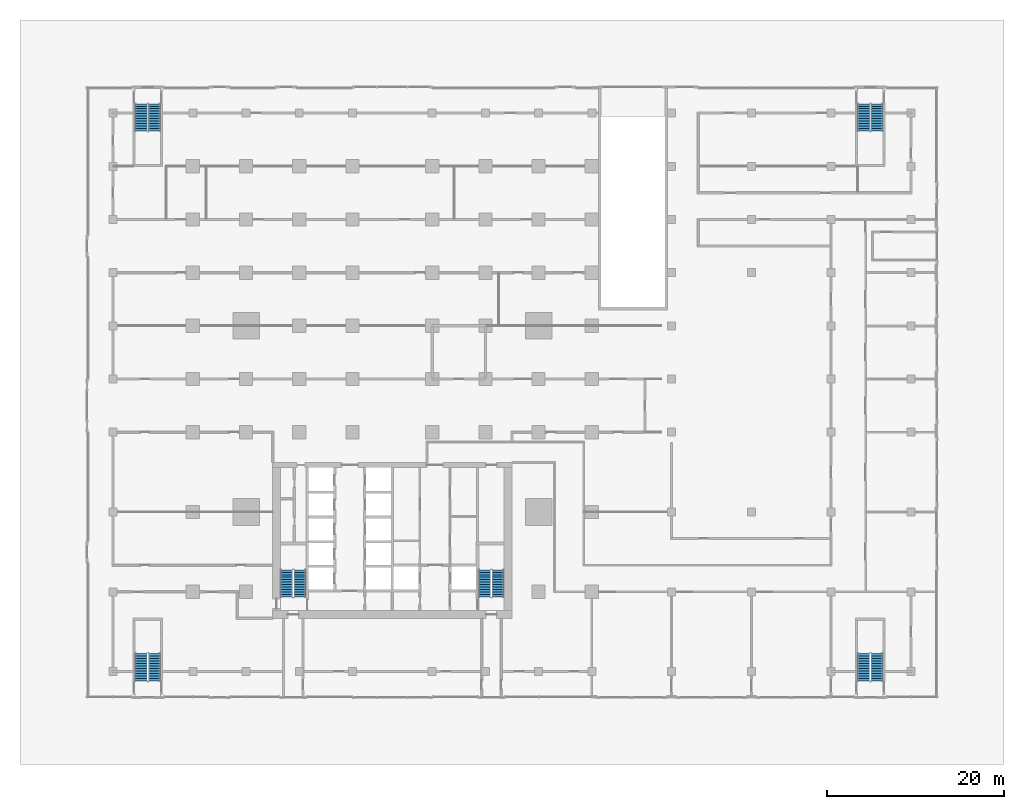
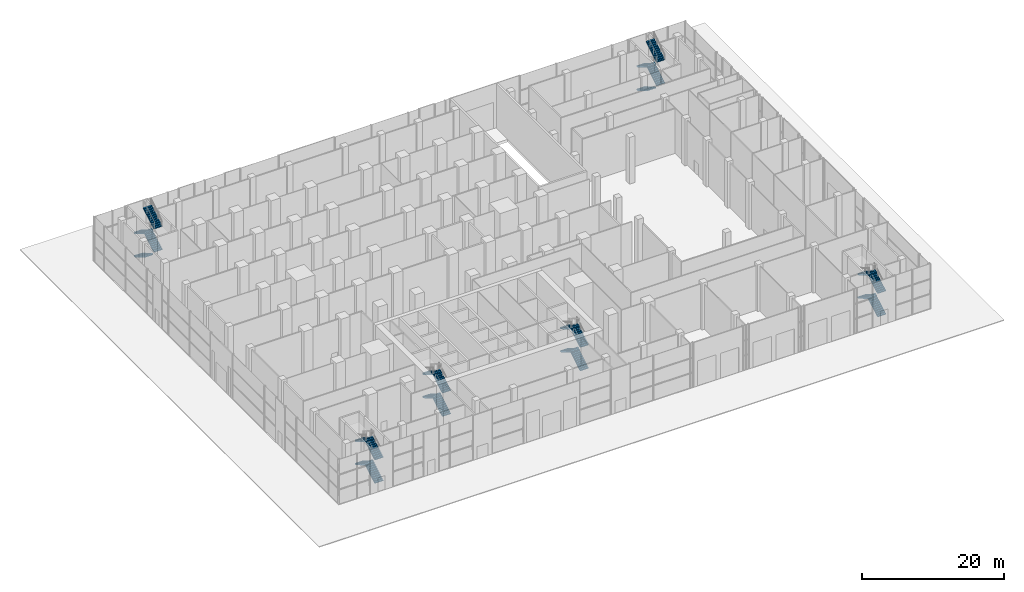
# One storey, part 27 of 29: 24 stair flights, 6 elements without a shape of their own.
"""IFC4 building model written with IfcOpenShell, lengths in metres."""

from ifc_helpers import new_model, si_unit, direction, frame, origin, place, context, subcontext, project, spatial, polyline, outline, extrude, material, type_object, element, aggregate, save


model = new_model("IFC4")

# Units and contexts
model_context = context("Model", 3, precision=1e-05, world=origin(), true_north=direction((0.0, 1.0)))
body_context = subcontext(model_context, "Body", "Model", "MODEL_VIEW")
ifc_project = project(units=[si_unit("LENGTHUNIT", "METRE"), si_unit("AREAUNIT", "SQUARE_METRE"), si_unit("VOLUMEUNIT", "CUBIC_METRE"), si_unit("PLANEANGLEUNIT", "RADIAN"), si_unit("MASSUNIT", "GRAM", prefix="KILO")], contexts=[model_context])

# Site, building, storey
site_placement = place(None, origin())
site = spatial("IfcSite", under=ifc_project, at=site_placement, CompositionType="ELEMENT")
building_placement = place(site_placement, origin())
building = spatial("IfcBuilding", under=site, at=building_placement, Name="Finial Court Residences", CompositionType="ELEMENT")
storey_placement = place(building_placement, origin())
storey = spatial("IfcBuildingStorey", under=building, at=storey_placement, Name="L00", CompositionType="ELEMENT", Elevation=0.0)

# Stair, stair flights
ifc_material = material(Name="Concrete C50/60", Category="concrete")
stair_type = type_object("IfcStairType", Name="Exit stair 48 risers of 166.7 mm", PredefinedType="HALF_TURN_STAIR", material=ifc_material)
stair_1_placement = place(storey_placement, origin())
stair_1 = element("IfcStair", 1, at=stair_1_placement, inside=storey, type_object=stair_type, Name="L00 Exit stair ST-1", PredefinedType="HALF_TURN_STAIR")
stair_flight_type = type_object("IfcStairFlightType", Name="Exit stair flight", PredefinedType="STRAIGHT", material=ifc_material)
stair_flight_1_placement = place(storey_placement, frame((-10.425048828125, -23.10009765625, 0.0), z_axis=(0.0, 0.0, 1.0), x_axis=(0.0, 1.0, 0.0)))
stair_flight_1 = element("IfcStairFlight", 2, at=stair_flight_1_placement, type_object=stair_flight_type, Name="ST-1 flight 1", NumberOfRisers=12, NumberOfTreads=11, PredefinedType="STRAIGHT", RiserHeight=0.166666667, TreadLength=0.28, context=body_context, shape_type="SweptSolid", body=[
    extrude(outline(polyline([(0.0, 0.0), (0.0, 0.166748046875), (0.280029296875, 0.166748046875), (0.280029296875, 0.333251953125), (0.56005859375, 0.333251953125), (0.56005859375, 0.5), (0.840087890625, 0.5), (0.840087890625, 0.666748046875), (1.1201171875, 0.666748046875), (1.1201171875, 0.833251953125), (1.39990234375, 0.833251953125), (1.39990234375, 1.0), (1.679931640625, 1.0), (1.679931640625, 1.166748046875), (1.9599609375, 1.166748046875), (1.9599609375, 1.333251953125), (2.239990234375, 1.333251953125), (2.239990234375, 1.5), (2.52001953125, 1.5), (2.52001953125, 1.666748046875), (2.800048828125, 1.666748046875), (2.800048828125, 1.833251953125), (3.080078125, 1.833251953125), (3.080078125, 2.0), (3.080078125, 1.658935546875), (0.29296875, 0.0), (0.0, 0.0)])), frame((0.0, 0.675048828125, 0.0), z_axis=(0.0, -1.0, 0.0), x_axis=(1.0, 0.0, 0.0)), (0.0, 0.0, 1.0), 1.35009765625),
])
stair_flight_2_placement = place(storey_placement, frame((-11.925048828125, -20.02001953125, 2.0), z_axis=(0.0, 0.0, 1.0), x_axis=(0.0, -1.0, 0.0)))
stair_flight_2 = element("IfcStairFlight", 3, at=stair_flight_2_placement, type_object=stair_flight_type, Name="ST-1 flight 2", NumberOfRisers=12, NumberOfTreads=11, PredefinedType="STRAIGHT", RiserHeight=0.166666667, TreadLength=0.28, context=body_context, shape_type="SweptSolid", body=[
    extrude(outline(polyline([(0.0, 0.0), (0.0, 0.166748046875), (0.280029296875, 0.166748046875), (0.280029296875, 0.333251953125), (0.56005859375, 0.333251953125), (0.56005859375, 0.5), (0.840087890625, 0.5), (0.840087890625, 0.666748046875), (1.1201171875, 0.666748046875), (1.1201171875, 0.833251953125), (1.39990234375, 0.833251953125), (1.39990234375, 1.0), (1.679931640625, 1.0), (1.679931640625, 1.166748046875), (1.9599609375, 1.166748046875), (1.9599609375, 1.333251953125), (2.239990234375, 1.333251953125), (2.239990234375, 1.5), (2.52001953125, 1.5), (2.52001953125, 1.666748046875), (2.800048828125, 1.666748046875), (2.800048828125, 1.833251953125), (3.080078125, 1.833251953125), (3.080078125, 2.0), (3.080078125, 1.658935546875), (0.29296875, 0.0), (0.0, 0.0)])), frame((0.0, 0.675048828125, 0.0), z_axis=(0.0, -1.0, 0.0), x_axis=(1.0, 0.0, 0.0)), (0.0, 0.0, 1.0), 1.35009765625),
])
stair_flight_3_placement = place(storey_placement, frame((-10.425048828125, -23.10009765625, 4.0), z_axis=(0.0, 0.0, 1.0), x_axis=(0.0, 1.0, 0.0)))
stair_flight_3 = element("IfcStairFlight", 4, at=stair_flight_3_placement, type_object=stair_flight_type, Name="ST-1 flight 3", NumberOfRisers=12, NumberOfTreads=11, PredefinedType="STRAIGHT", RiserHeight=0.166666667, TreadLength=0.28, context=body_context, shape_type="SweptSolid", body=[
    extrude(outline(polyline([(0.0, 0.0), (0.0, 0.166748046875), (0.280029296875, 0.166748046875), (0.280029296875, 0.333251953125), (0.56005859375, 0.333251953125), (0.56005859375, 0.5), (0.840087890625, 0.5), (0.840087890625, 0.666748046875), (1.1201171875, 0.666748046875), (1.1201171875, 0.833251953125), (1.39990234375, 0.833251953125), (1.39990234375, 1.0), (1.679931640625, 1.0), (1.679931640625, 1.166748046875), (1.9599609375, 1.166748046875), (1.9599609375, 1.333251953125), (2.239990234375, 1.333251953125), (2.239990234375, 1.5), (2.52001953125, 1.5), (2.52001953125, 1.666748046875), (2.800048828125, 1.666748046875), (2.800048828125, 1.833251953125), (3.080078125, 1.833251953125), (3.080078125, 2.0), (3.080078125, 1.658935546875), (0.29296875, 0.0), (0.0, 0.0)])), frame((0.0, 0.675048828125, 0.0), z_axis=(0.0, -1.0, 0.0), x_axis=(1.0, 0.0, 0.0)), (0.0, 0.0, 1.0), 1.35009765625),
])
stair_flight_4_placement = place(storey_placement, frame((-11.925048828125, -20.02001953125, 6.0), z_axis=(0.0, 0.0, 1.0), x_axis=(0.0, -1.0, 0.0)))
stair_flight_4 = element("IfcStairFlight", 5, at=stair_flight_4_placement, type_object=stair_flight_type, Name="ST-1 flight 4", NumberOfRisers=12, NumberOfTreads=11, PredefinedType="STRAIGHT", RiserHeight=0.166666667, TreadLength=0.28, context=body_context, shape_type="SweptSolid", body=[
    extrude(outline(polyline([(0.0, 0.0), (0.0, 0.166748046875), (0.280029296875, 0.166748046875), (0.280029296875, 0.333251953125), (0.56005859375, 0.333251953125), (0.56005859375, 0.5), (0.840087890625, 0.5), (0.840087890625, 0.666748046875), (1.1201171875, 0.666748046875), (1.1201171875, 0.833251953125), (1.39990234375, 0.833251953125), (1.39990234375, 1.0), (1.679931640625, 1.0), (1.679931640625, 1.166748046875), (1.9599609375, 1.166748046875), (1.9599609375, 1.333251953125), (2.239990234375, 1.333251953125), (2.239990234375, 1.5), (2.52001953125, 1.5), (2.52001953125, 1.666748046875), (2.800048828125, 1.666748046875), (2.800048828125, 1.833251953125), (3.080078125, 1.833251953125), (3.080078125, 2.0), (3.080078125, 1.658935546875), (0.29296875, 0.0), (0.0, 0.0)])), frame((0.0, 0.675048828125, 0.0), z_axis=(0.0, -1.0, 0.0), x_axis=(1.0, 0.0, 0.0)), (0.0, 0.0, 1.0), 1.35009765625),
])
aggregate(stair_1, [stair_flight_1, stair_flight_2, stair_flight_3, stair_flight_4])

stair_2_placement = place(storey_placement, origin())
stair_2 = element("IfcStair", 6, at=stair_2_placement, inside=storey, type_object=stair_type, Name="L00 Exit stair ST-2", PredefinedType="HALF_TURN_STAIR")
stair_flight_5_placement = place(storey_placement, frame((11.925048828125, -23.10009765625, 0.0), z_axis=(0.0, 0.0, 1.0), x_axis=(0.0, 1.0, 0.0)))
stair_flight_5 = element("IfcStairFlight", 7, at=stair_flight_5_placement, type_object=stair_flight_type, Name="ST-2 flight 1", NumberOfRisers=12, NumberOfTreads=11, PredefinedType="STRAIGHT", RiserHeight=0.166666667, TreadLength=0.28, context=body_context, shape_type="SweptSolid", body=[
    extrude(outline(polyline([(0.0, 0.0), (0.0, 0.166748046875), (0.280029296875, 0.166748046875), (0.280029296875, 0.333251953125), (0.56005859375, 0.333251953125), (0.56005859375, 0.5), (0.840087890625, 0.5), (0.840087890625, 0.666748046875), (1.1201171875, 0.666748046875), (1.1201171875, 0.833251953125), (1.39990234375, 0.833251953125), (1.39990234375, 1.0), (1.679931640625, 1.0), (1.679931640625, 1.166748046875), (1.9599609375, 1.166748046875), (1.9599609375, 1.333251953125), (2.239990234375, 1.333251953125), (2.239990234375, 1.5), (2.52001953125, 1.5), (2.52001953125, 1.666748046875), (2.800048828125, 1.666748046875), (2.800048828125, 1.833251953125), (3.080078125, 1.833251953125), (3.080078125, 2.0), (3.080078125, 1.658935546875), (0.29296875, 0.0), (0.0, 0.0)])), frame((0.0, 0.675048828125, 0.0), z_axis=(0.0, -1.0, 0.0), x_axis=(1.0, 0.0, 0.0)), (0.0, 0.0, 1.0), 1.35009765625),
])
stair_flight_6_placement = place(storey_placement, frame((10.425048828125, -20.02001953125, 2.0), z_axis=(0.0, 0.0, 1.0), x_axis=(0.0, -1.0, 0.0)))
stair_flight_6 = element("IfcStairFlight", 8, at=stair_flight_6_placement, type_object=stair_flight_type, Name="ST-2 flight 2", NumberOfRisers=12, NumberOfTreads=11, PredefinedType="STRAIGHT", RiserHeight=0.166666667, TreadLength=0.28, context=body_context, shape_type="SweptSolid", body=[
    extrude(outline(polyline([(0.0, 0.0), (0.0, 0.166748046875), (0.280029296875, 0.166748046875), (0.280029296875, 0.333251953125), (0.56005859375, 0.333251953125), (0.56005859375, 0.5), (0.840087890625, 0.5), (0.840087890625, 0.666748046875), (1.1201171875, 0.666748046875), (1.1201171875, 0.833251953125), (1.39990234375, 0.833251953125), (1.39990234375, 1.0), (1.679931640625, 1.0), (1.679931640625, 1.166748046875), (1.9599609375, 1.166748046875), (1.9599609375, 1.333251953125), (2.239990234375, 1.333251953125), (2.239990234375, 1.5), (2.52001953125, 1.5), (2.52001953125, 1.666748046875), (2.800048828125, 1.666748046875), (2.800048828125, 1.833251953125), (3.080078125, 1.833251953125), (3.080078125, 2.0), (3.080078125, 1.658935546875), (0.29296875, 0.0), (0.0, 0.0)])), frame((0.0, 0.675048828125, 0.0), z_axis=(0.0, -1.0, 0.0), x_axis=(1.0, 0.0, 0.0)), (0.0, 0.0, 1.0), 1.35009765625),
])
stair_flight_7_placement = place(storey_placement, frame((11.925048828125, -23.10009765625, 4.0), z_axis=(0.0, 0.0, 1.0), x_axis=(0.0, 1.0, 0.0)))
stair_flight_7 = element("IfcStairFlight", 9, at=stair_flight_7_placement, type_object=stair_flight_type, Name="ST-2 flight 3", NumberOfRisers=12, NumberOfTreads=11, PredefinedType="STRAIGHT", RiserHeight=0.166666667, TreadLength=0.28, context=body_context, shape_type="SweptSolid", body=[
    extrude(outline(polyline([(0.0, 0.0), (0.0, 0.166748046875), (0.280029296875, 0.166748046875), (0.280029296875, 0.333251953125), (0.56005859375, 0.333251953125), (0.56005859375, 0.5), (0.840087890625, 0.5), (0.840087890625, 0.666748046875), (1.1201171875, 0.666748046875), (1.1201171875, 0.833251953125), (1.39990234375, 0.833251953125), (1.39990234375, 1.0), (1.679931640625, 1.0), (1.679931640625, 1.166748046875), (1.9599609375, 1.166748046875), (1.9599609375, 1.333251953125), (2.239990234375, 1.333251953125), (2.239990234375, 1.5), (2.52001953125, 1.5), (2.52001953125, 1.666748046875), (2.800048828125, 1.666748046875), (2.800048828125, 1.833251953125), (3.080078125, 1.833251953125), (3.080078125, 2.0), (3.080078125, 1.658935546875), (0.29296875, 0.0), (0.0, 0.0)])), frame((0.0, 0.675048828125, 0.0), z_axis=(0.0, -1.0, 0.0), x_axis=(1.0, 0.0, 0.0)), (0.0, 0.0, 1.0), 1.35009765625),
])
stair_flight_8_placement = place(storey_placement, frame((10.425048828125, -20.02001953125, 6.0), z_axis=(0.0, 0.0, 1.0), x_axis=(0.0, -1.0, 0.0)))
stair_flight_8 = element("IfcStairFlight", 10, at=stair_flight_8_placement, type_object=stair_flight_type, Name="ST-2 flight 4", NumberOfRisers=12, NumberOfTreads=11, PredefinedType="STRAIGHT", RiserHeight=0.166666667, TreadLength=0.28, context=body_context, shape_type="SweptSolid", body=[
    extrude(outline(polyline([(0.0, 0.0), (0.0, 0.166748046875), (0.280029296875, 0.166748046875), (0.280029296875, 0.333251953125), (0.56005859375, 0.333251953125), (0.56005859375, 0.5), (0.840087890625, 0.5), (0.840087890625, 0.666748046875), (1.1201171875, 0.666748046875), (1.1201171875, 0.833251953125), (1.39990234375, 0.833251953125), (1.39990234375, 1.0), (1.679931640625, 1.0), (1.679931640625, 1.166748046875), (1.9599609375, 1.166748046875), (1.9599609375, 1.333251953125), (2.239990234375, 1.333251953125), (2.239990234375, 1.5), (2.52001953125, 1.5), (2.52001953125, 1.666748046875), (2.800048828125, 1.666748046875), (2.800048828125, 1.833251953125), (3.080078125, 1.833251953125), (3.080078125, 2.0), (3.080078125, 1.658935546875), (0.29296875, 0.0), (0.0, 0.0)])), frame((0.0, 0.675048828125, 0.0), z_axis=(0.0, -1.0, 0.0), x_axis=(1.0, 0.0, 0.0)), (0.0, 0.0, 1.0), 1.35009765625),
])
aggregate(stair_2, [stair_flight_5, stair_flight_6, stair_flight_7, stair_flight_8])

stair_3_placement = place(storey_placement, origin())
stair_3 = element("IfcStair", 11, at=stair_3_placement, inside=storey, type_object=stair_type, Name="L00 Exit Stair 3", PredefinedType="HALF_TURN_STAIR")
stair_flight_9_placement = place(storey_placement, frame((54.675048828125, -32.550048828125, 0.0), z_axis=(0.0, 0.0, 1.0), x_axis=(0.0, 1.0, 0.0)))
stair_flight_9 = element("IfcStairFlight", 12, at=stair_flight_9_placement, type_object=stair_flight_type, Name="ST-3 flight 1", NumberOfRisers=12, NumberOfTreads=11, PredefinedType="STRAIGHT", RiserHeight=0.166666667, TreadLength=0.28, context=body_context, shape_type="SweptSolid", body=[
    extrude(outline(polyline([(0.0, 0.0), (0.0, 0.166748046875), (0.280029296875, 0.166748046875), (0.280029296875, 0.333251953125), (0.56005859375, 0.333251953125), (0.56005859375, 0.5), (0.840087890625, 0.5), (0.840087890625, 0.666748046875), (1.1201171875, 0.666748046875), (1.1201171875, 0.833251953125), (1.39990234375, 0.833251953125), (1.39990234375, 1.0), (1.679931640625, 1.0), (1.679931640625, 1.166748046875), (1.9599609375, 1.166748046875), (1.9599609375, 1.333251953125), (2.239990234375, 1.333251953125), (2.239990234375, 1.5), (2.52001953125, 1.5), (2.52001953125, 1.666748046875), (2.800048828125, 1.666748046875), (2.800048828125, 1.833251953125), (3.080078125, 1.833251953125), (3.080078125, 2.0), (3.080078125, 1.658935546875), (0.29296875, 0.0), (0.0, 0.0)])), frame((0.0, 0.675048828125, 0.0), z_axis=(0.0, -1.0, 0.0), x_axis=(1.0, 0.0, 0.0)), (0.0, 0.0, 1.0), 1.35009765625),
])
stair_flight_10_placement = place(storey_placement, frame((53.175048828125, -29.469970703125, 2.0), z_axis=(0.0, 0.0, 1.0), x_axis=(0.0, -1.0, 0.0)))
stair_flight_10 = element("IfcStairFlight", 13, at=stair_flight_10_placement, type_object=stair_flight_type, Name="ST-3 flight 2", NumberOfRisers=12, NumberOfTreads=11, PredefinedType="STRAIGHT", RiserHeight=0.166666667, TreadLength=0.28, context=body_context, shape_type="SweptSolid", body=[
    extrude(outline(polyline([(0.0, 0.0), (0.0, 0.166748046875), (0.280029296875, 0.166748046875), (0.280029296875, 0.333251953125), (0.56005859375, 0.333251953125), (0.56005859375, 0.5), (0.840087890625, 0.5), (0.840087890625, 0.666748046875), (1.1201171875, 0.666748046875), (1.1201171875, 0.833251953125), (1.39990234375, 0.833251953125), (1.39990234375, 1.0), (1.679931640625, 1.0), (1.679931640625, 1.166748046875), (1.9599609375, 1.166748046875), (1.9599609375, 1.333251953125), (2.239990234375, 1.333251953125), (2.239990234375, 1.5), (2.52001953125, 1.5), (2.52001953125, 1.666748046875), (2.800048828125, 1.666748046875), (2.800048828125, 1.833251953125), (3.080078125, 1.833251953125), (3.080078125, 2.0), (3.080078125, 1.658935546875), (0.29296875, 0.0), (0.0, 0.0)])), frame((0.0, 0.675048828125, 0.0), z_axis=(0.0, -1.0, 0.0), x_axis=(1.0, 0.0, 0.0)), (0.0, 0.0, 1.0), 1.35009765625),
])
stair_flight_11_placement = place(storey_placement, frame((54.675048828125, -32.550048828125, 4.0), z_axis=(0.0, 0.0, 1.0), x_axis=(0.0, 1.0, 0.0)))
stair_flight_11 = element("IfcStairFlight", 14, at=stair_flight_11_placement, type_object=stair_flight_type, Name="ST-3 flight 3", NumberOfRisers=12, NumberOfTreads=11, PredefinedType="STRAIGHT", RiserHeight=0.166666667, TreadLength=0.28, context=body_context, shape_type="SweptSolid", body=[
    extrude(outline(polyline([(0.0, 0.0), (0.0, 0.166748046875), (0.280029296875, 0.166748046875), (0.280029296875, 0.333251953125), (0.56005859375, 0.333251953125), (0.56005859375, 0.5), (0.840087890625, 0.5), (0.840087890625, 0.666748046875), (1.1201171875, 0.666748046875), (1.1201171875, 0.833251953125), (1.39990234375, 0.833251953125), (1.39990234375, 1.0), (1.679931640625, 1.0), (1.679931640625, 1.166748046875), (1.9599609375, 1.166748046875), (1.9599609375, 1.333251953125), (2.239990234375, 1.333251953125), (2.239990234375, 1.5), (2.52001953125, 1.5), (2.52001953125, 1.666748046875), (2.800048828125, 1.666748046875), (2.800048828125, 1.833251953125), (3.080078125, 1.833251953125), (3.080078125, 2.0), (3.080078125, 1.658935546875), (0.29296875, 0.0), (0.0, 0.0)])), frame((0.0, 0.675048828125, 0.0), z_axis=(0.0, -1.0, 0.0), x_axis=(1.0, 0.0, 0.0)), (0.0, 0.0, 1.0), 1.35009765625),
])
stair_flight_12_placement = place(storey_placement, frame((53.175048828125, -29.469970703125, 6.0), z_axis=(0.0, 0.0, 1.0), x_axis=(0.0, -1.0, 0.0)))
stair_flight_12 = element("IfcStairFlight", 15, at=stair_flight_12_placement, type_object=stair_flight_type, Name="ST-3 flight 4", NumberOfRisers=12, NumberOfTreads=11, PredefinedType="STRAIGHT", RiserHeight=0.166666667, TreadLength=0.28, context=body_context, shape_type="SweptSolid", body=[
    extrude(outline(polyline([(0.0, 0.0), (0.0, 0.166748046875), (0.280029296875, 0.166748046875), (0.280029296875, 0.333251953125), (0.56005859375, 0.333251953125), (0.56005859375, 0.5), (0.840087890625, 0.5), (0.840087890625, 0.666748046875), (1.1201171875, 0.666748046875), (1.1201171875, 0.833251953125), (1.39990234375, 0.833251953125), (1.39990234375, 1.0), (1.679931640625, 1.0), (1.679931640625, 1.166748046875), (1.9599609375, 1.166748046875), (1.9599609375, 1.333251953125), (2.239990234375, 1.333251953125), (2.239990234375, 1.5), (2.52001953125, 1.5), (2.52001953125, 1.666748046875), (2.800048828125, 1.666748046875), (2.800048828125, 1.833251953125), (3.080078125, 1.833251953125), (3.080078125, 2.0), (3.080078125, 1.658935546875), (0.29296875, 0.0), (0.0, 0.0)])), frame((0.0, 0.675048828125, 0.0), z_axis=(0.0, -1.0, 0.0), x_axis=(1.0, 0.0, 0.0)), (0.0, 0.0, 1.0), 1.35009765625),
])
aggregate(stair_3, [stair_flight_9, stair_flight_10, stair_flight_11, stair_flight_12])

stair_4_placement = place(storey_placement, origin())
stair_4 = element("IfcStair", 16, at=stair_4_placement, inside=storey, type_object=stair_type, Name="L00 Exit Stair 4", PredefinedType="HALF_TURN_STAIR")
stair_flight_13_placement = place(storey_placement, frame((-26.824951171875, -32.550048828125, 0.0), z_axis=(0.0, 0.0, 1.0), x_axis=(0.0, 1.0, 0.0)))
stair_flight_13 = element("IfcStairFlight", 17, at=stair_flight_13_placement, type_object=stair_flight_type, Name="ST-4 flight 1", NumberOfRisers=12, NumberOfTreads=11, PredefinedType="STRAIGHT", RiserHeight=0.166666667, TreadLength=0.28, context=body_context, shape_type="SweptSolid", body=[
    extrude(outline(polyline([(0.0, 0.0), (0.0, 0.166748046875), (0.280029296875, 0.166748046875), (0.280029296875, 0.333251953125), (0.56005859375, 0.333251953125), (0.56005859375, 0.5), (0.840087890625, 0.5), (0.840087890625, 0.666748046875), (1.1201171875, 0.666748046875), (1.1201171875, 0.833251953125), (1.39990234375, 0.833251953125), (1.39990234375, 1.0), (1.679931640625, 1.0), (1.679931640625, 1.166748046875), (1.9599609375, 1.166748046875), (1.9599609375, 1.333251953125), (2.239990234375, 1.333251953125), (2.239990234375, 1.5), (2.52001953125, 1.5), (2.52001953125, 1.666748046875), (2.800048828125, 1.666748046875), (2.800048828125, 1.833251953125), (3.080078125, 1.833251953125), (3.080078125, 2.0), (3.080078125, 1.658935546875), (0.29296875, 0.0), (0.0, 0.0)])), frame((0.0, 0.675048828125, 0.0), z_axis=(0.0, -1.0, 0.0), x_axis=(1.0, 0.0, 0.0)), (0.0, 0.0, 1.0), 1.35009765625),
])
stair_flight_14_placement = place(storey_placement, frame((-28.324951171875, -29.469970703125, 2.0), z_axis=(0.0, 0.0, 1.0), x_axis=(0.0, -1.0, 0.0)))
stair_flight_14 = element("IfcStairFlight", 18, at=stair_flight_14_placement, type_object=stair_flight_type, Name="ST-4 flight 2", NumberOfRisers=12, NumberOfTreads=11, PredefinedType="STRAIGHT", RiserHeight=0.166666667, TreadLength=0.28, context=body_context, shape_type="SweptSolid", body=[
    extrude(outline(polyline([(0.0, 0.0), (0.0, 0.166748046875), (0.280029296875, 0.166748046875), (0.280029296875, 0.333251953125), (0.56005859375, 0.333251953125), (0.56005859375, 0.5), (0.840087890625, 0.5), (0.840087890625, 0.666748046875), (1.1201171875, 0.666748046875), (1.1201171875, 0.833251953125), (1.39990234375, 0.833251953125), (1.39990234375, 1.0), (1.679931640625, 1.0), (1.679931640625, 1.166748046875), (1.9599609375, 1.166748046875), (1.9599609375, 1.333251953125), (2.239990234375, 1.333251953125), (2.239990234375, 1.5), (2.52001953125, 1.5), (2.52001953125, 1.666748046875), (2.800048828125, 1.666748046875), (2.800048828125, 1.833251953125), (3.080078125, 1.833251953125), (3.080078125, 2.0), (3.080078125, 1.658935546875), (0.29296875, 0.0), (0.0, 0.0)])), frame((0.0, 0.675048828125, 0.0), z_axis=(0.0, -1.0, 0.0), x_axis=(1.0, 0.0, 0.0)), (0.0, 0.0, 1.0), 1.35009765625),
])
stair_flight_15_placement = place(storey_placement, frame((-26.824951171875, -32.550048828125, 4.0), z_axis=(0.0, 0.0, 1.0), x_axis=(0.0, 1.0, 0.0)))
stair_flight_15 = element("IfcStairFlight", 19, at=stair_flight_15_placement, type_object=stair_flight_type, Name="ST-4 flight 3", NumberOfRisers=12, NumberOfTreads=11, PredefinedType="STRAIGHT", RiserHeight=0.166666667, TreadLength=0.28, context=body_context, shape_type="SweptSolid", body=[
    extrude(outline(polyline([(0.0, 0.0), (0.0, 0.166748046875), (0.280029296875, 0.166748046875), (0.280029296875, 0.333251953125), (0.56005859375, 0.333251953125), (0.56005859375, 0.5), (0.840087890625, 0.5), (0.840087890625, 0.666748046875), (1.1201171875, 0.666748046875), (1.1201171875, 0.833251953125), (1.39990234375, 0.833251953125), (1.39990234375, 1.0), (1.679931640625, 1.0), (1.679931640625, 1.166748046875), (1.9599609375, 1.166748046875), (1.9599609375, 1.333251953125), (2.239990234375, 1.333251953125), (2.239990234375, 1.5), (2.52001953125, 1.5), (2.52001953125, 1.666748046875), (2.800048828125, 1.666748046875), (2.800048828125, 1.833251953125), (3.080078125, 1.833251953125), (3.080078125, 2.0), (3.080078125, 1.658935546875), (0.29296875, 0.0), (0.0, 0.0)])), frame((0.0, 0.675048828125, 0.0), z_axis=(0.0, -1.0, 0.0), x_axis=(1.0, 0.0, 0.0)), (0.0, 0.0, 1.0), 1.35009765625),
])
stair_flight_16_placement = place(storey_placement, frame((-28.324951171875, -29.469970703125, 6.0), z_axis=(0.0, 0.0, 1.0), x_axis=(0.0, -1.0, 0.0)))
stair_flight_16 = element("IfcStairFlight", 20, at=stair_flight_16_placement, type_object=stair_flight_type, Name="ST-4 flight 4", NumberOfRisers=12, NumberOfTreads=11, PredefinedType="STRAIGHT", RiserHeight=0.166666667, TreadLength=0.28, context=body_context, shape_type="SweptSolid", body=[
    extrude(outline(polyline([(0.0, 0.0), (0.0, 0.166748046875), (0.280029296875, 0.166748046875), (0.280029296875, 0.333251953125), (0.56005859375, 0.333251953125), (0.56005859375, 0.5), (0.840087890625, 0.5), (0.840087890625, 0.666748046875), (1.1201171875, 0.666748046875), (1.1201171875, 0.833251953125), (1.39990234375, 0.833251953125), (1.39990234375, 1.0), (1.679931640625, 1.0), (1.679931640625, 1.166748046875), (1.9599609375, 1.166748046875), (1.9599609375, 1.333251953125), (2.239990234375, 1.333251953125), (2.239990234375, 1.5), (2.52001953125, 1.5), (2.52001953125, 1.666748046875), (2.800048828125, 1.666748046875), (2.800048828125, 1.833251953125), (3.080078125, 1.833251953125), (3.080078125, 2.0), (3.080078125, 1.658935546875), (0.29296875, 0.0), (0.0, 0.0)])), frame((0.0, 0.675048828125, 0.0), z_axis=(0.0, -1.0, 0.0), x_axis=(1.0, 0.0, 0.0)), (0.0, 0.0, 1.0), 1.35009765625),
])
aggregate(stair_4, [stair_flight_13, stair_flight_14, stair_flight_15, stair_flight_16])

stair_5_placement = place(storey_placement, origin())
stair_5 = element("IfcStair", 21, at=stair_5_placement, inside=storey, type_object=stair_type, Name="L00 Exit Stair 5", PredefinedType="HALF_TURN_STAIR")
stair_flight_17_placement = place(storey_placement, frame((53.175048828125, 32.550048828125, 0.0), z_axis=(0.0, 0.0, 1.0), x_axis=(0.0, -1.0, 0.0)))
stair_flight_17 = element("IfcStairFlight", 22, at=stair_flight_17_placement, type_object=stair_flight_type, Name="ST-5 flight 1", NumberOfRisers=12, NumberOfTreads=11, PredefinedType="STRAIGHT", RiserHeight=0.166666667, TreadLength=0.28, context=body_context, shape_type="SweptSolid", body=[
    extrude(outline(polyline([(0.0, 0.0), (0.0, 0.166748046875), (0.280029296875, 0.166748046875), (0.280029296875, 0.333251953125), (0.56005859375, 0.333251953125), (0.56005859375, 0.5), (0.840087890625, 0.5), (0.840087890625, 0.666748046875), (1.1201171875, 0.666748046875), (1.1201171875, 0.833251953125), (1.39990234375, 0.833251953125), (1.39990234375, 1.0), (1.679931640625, 1.0), (1.679931640625, 1.166748046875), (1.9599609375, 1.166748046875), (1.9599609375, 1.333251953125), (2.239990234375, 1.333251953125), (2.239990234375, 1.5), (2.52001953125, 1.5), (2.52001953125, 1.666748046875), (2.800048828125, 1.666748046875), (2.800048828125, 1.833251953125), (3.080078125, 1.833251953125), (3.080078125, 2.0), (3.080078125, 1.658935546875), (0.29296875, 0.0), (0.0, 0.0)])), frame((0.0, 0.675048828125, 0.0), z_axis=(0.0, -1.0, 0.0), x_axis=(1.0, 0.0, 0.0)), (0.0, 0.0, 1.0), 1.35009765625),
])
stair_flight_18_placement = place(storey_placement, frame((54.675048828125, 29.469970703125, 2.0), z_axis=(0.0, 0.0, 1.0), x_axis=(0.0, 1.0, 0.0)))
stair_flight_18 = element("IfcStairFlight", 23, at=stair_flight_18_placement, type_object=stair_flight_type, Name="ST-5 flight 2", NumberOfRisers=12, NumberOfTreads=11, PredefinedType="STRAIGHT", RiserHeight=0.166666667, TreadLength=0.28, context=body_context, shape_type="SweptSolid", body=[
    extrude(outline(polyline([(0.0, 0.0), (0.0, 0.166748046875), (0.280029296875, 0.166748046875), (0.280029296875, 0.333251953125), (0.56005859375, 0.333251953125), (0.56005859375, 0.5), (0.840087890625, 0.5), (0.840087890625, 0.666748046875), (1.1201171875, 0.666748046875), (1.1201171875, 0.833251953125), (1.39990234375, 0.833251953125), (1.39990234375, 1.0), (1.679931640625, 1.0), (1.679931640625, 1.166748046875), (1.9599609375, 1.166748046875), (1.9599609375, 1.333251953125), (2.239990234375, 1.333251953125), (2.239990234375, 1.5), (2.52001953125, 1.5), (2.52001953125, 1.666748046875), (2.800048828125, 1.666748046875), (2.800048828125, 1.833251953125), (3.080078125, 1.833251953125), (3.080078125, 2.0), (3.080078125, 1.658935546875), (0.29296875, 0.0), (0.0, 0.0)])), frame((0.0, 0.675048828125, 0.0), z_axis=(0.0, -1.0, 0.0), x_axis=(1.0, 0.0, 0.0)), (0.0, 0.0, 1.0), 1.35009765625),
])
stair_flight_19_placement = place(storey_placement, frame((53.175048828125, 32.550048828125, 4.0), z_axis=(0.0, 0.0, 1.0), x_axis=(0.0, -1.0, 0.0)))
stair_flight_19 = element("IfcStairFlight", 24, at=stair_flight_19_placement, type_object=stair_flight_type, Name="ST-5 flight 3", NumberOfRisers=12, NumberOfTreads=11, PredefinedType="STRAIGHT", RiserHeight=0.166666667, TreadLength=0.28, context=body_context, shape_type="SweptSolid", body=[
    extrude(outline(polyline([(0.0, 0.0), (0.0, 0.166748046875), (0.280029296875, 0.166748046875), (0.280029296875, 0.333251953125), (0.56005859375, 0.333251953125), (0.56005859375, 0.5), (0.840087890625, 0.5), (0.840087890625, 0.666748046875), (1.1201171875, 0.666748046875), (1.1201171875, 0.833251953125), (1.39990234375, 0.833251953125), (1.39990234375, 1.0), (1.679931640625, 1.0), (1.679931640625, 1.166748046875), (1.9599609375, 1.166748046875), (1.9599609375, 1.333251953125), (2.239990234375, 1.333251953125), (2.239990234375, 1.5), (2.52001953125, 1.5), (2.52001953125, 1.666748046875), (2.800048828125, 1.666748046875), (2.800048828125, 1.833251953125), (3.080078125, 1.833251953125), (3.080078125, 2.0), (3.080078125, 1.658935546875), (0.29296875, 0.0), (0.0, 0.0)])), frame((0.0, 0.675048828125, 0.0), z_axis=(0.0, -1.0, 0.0), x_axis=(1.0, 0.0, 0.0)), (0.0, 0.0, 1.0), 1.35009765625),
])
stair_flight_20_placement = place(storey_placement, frame((54.675048828125, 29.469970703125, 6.0), z_axis=(0.0, 0.0, 1.0), x_axis=(0.0, 1.0, 0.0)))
stair_flight_20 = element("IfcStairFlight", 25, at=stair_flight_20_placement, type_object=stair_flight_type, Name="ST-5 flight 4", NumberOfRisers=12, NumberOfTreads=11, PredefinedType="STRAIGHT", RiserHeight=0.166666667, TreadLength=0.28, context=body_context, shape_type="SweptSolid", body=[
    extrude(outline(polyline([(0.0, 0.0), (0.0, 0.166748046875), (0.280029296875, 0.166748046875), (0.280029296875, 0.333251953125), (0.56005859375, 0.333251953125), (0.56005859375, 0.5), (0.840087890625, 0.5), (0.840087890625, 0.666748046875), (1.1201171875, 0.666748046875), (1.1201171875, 0.833251953125), (1.39990234375, 0.833251953125), (1.39990234375, 1.0), (1.679931640625, 1.0), (1.679931640625, 1.166748046875), (1.9599609375, 1.166748046875), (1.9599609375, 1.333251953125), (2.239990234375, 1.333251953125), (2.239990234375, 1.5), (2.52001953125, 1.5), (2.52001953125, 1.666748046875), (2.800048828125, 1.666748046875), (2.800048828125, 1.833251953125), (3.080078125, 1.833251953125), (3.080078125, 2.0), (3.080078125, 1.658935546875), (0.29296875, 0.0), (0.0, 0.0)])), frame((0.0, 0.675048828125, 0.0), z_axis=(0.0, -1.0, 0.0), x_axis=(1.0, 0.0, 0.0)), (0.0, 0.0, 1.0), 1.35009765625),
])
aggregate(stair_5, [stair_flight_17, stair_flight_18, stair_flight_19, stair_flight_20])

stair_6_placement = place(storey_placement, origin())
stair_6 = element("IfcStair", 26, at=stair_6_placement, inside=storey, type_object=stair_type, Name="L00 Exit Stair 6", PredefinedType="HALF_TURN_STAIR")
stair_flight_21_placement = place(storey_placement, frame((-28.324951171875, 32.550048828125, 0.0), z_axis=(0.0, 0.0, 1.0), x_axis=(0.0, -1.0, 0.0)))
stair_flight_21 = element("IfcStairFlight", 27, at=stair_flight_21_placement, type_object=stair_flight_type, Name="ST-6 flight 1", NumberOfRisers=12, NumberOfTreads=11, PredefinedType="STRAIGHT", RiserHeight=0.166666667, TreadLength=0.28, context=body_context, shape_type="SweptSolid", body=[
    extrude(outline(polyline([(0.0, 0.0), (0.0, 0.166748046875), (0.280029296875, 0.166748046875), (0.280029296875, 0.333251953125), (0.56005859375, 0.333251953125), (0.56005859375, 0.5), (0.840087890625, 0.5), (0.840087890625, 0.666748046875), (1.1201171875, 0.666748046875), (1.1201171875, 0.833251953125), (1.39990234375, 0.833251953125), (1.39990234375, 1.0), (1.679931640625, 1.0), (1.679931640625, 1.166748046875), (1.9599609375, 1.166748046875), (1.9599609375, 1.333251953125), (2.239990234375, 1.333251953125), (2.239990234375, 1.5), (2.52001953125, 1.5), (2.52001953125, 1.666748046875), (2.800048828125, 1.666748046875), (2.800048828125, 1.833251953125), (3.080078125, 1.833251953125), (3.080078125, 2.0), (3.080078125, 1.658935546875), (0.29296875, 0.0), (0.0, 0.0)])), frame((0.0, 0.675048828125, 0.0), z_axis=(0.0, -1.0, 0.0), x_axis=(1.0, 0.0, 0.0)), (0.0, 0.0, 1.0), 1.35009765625),
])
stair_flight_22_placement = place(storey_placement, frame((-26.824951171875, 29.469970703125, 2.0), z_axis=(0.0, 0.0, 1.0), x_axis=(0.0, 1.0, 0.0)))
stair_flight_22 = element("IfcStairFlight", 28, at=stair_flight_22_placement, type_object=stair_flight_type, Name="ST-6 flight 2", NumberOfRisers=12, NumberOfTreads=11, PredefinedType="STRAIGHT", RiserHeight=0.166666667, TreadLength=0.28, context=body_context, shape_type="SweptSolid", body=[
    extrude(outline(polyline([(0.0, 0.0), (0.0, 0.166748046875), (0.280029296875, 0.166748046875), (0.280029296875, 0.333251953125), (0.56005859375, 0.333251953125), (0.56005859375, 0.5), (0.840087890625, 0.5), (0.840087890625, 0.666748046875), (1.1201171875, 0.666748046875), (1.1201171875, 0.833251953125), (1.39990234375, 0.833251953125), (1.39990234375, 1.0), (1.679931640625, 1.0), (1.679931640625, 1.166748046875), (1.9599609375, 1.166748046875), (1.9599609375, 1.333251953125), (2.239990234375, 1.333251953125), (2.239990234375, 1.5), (2.52001953125, 1.5), (2.52001953125, 1.666748046875), (2.800048828125, 1.666748046875), (2.800048828125, 1.833251953125), (3.080078125, 1.833251953125), (3.080078125, 2.0), (3.080078125, 1.658935546875), (0.29296875, 0.0), (0.0, 0.0)])), frame((0.0, 0.675048828125, 0.0), z_axis=(0.0, -1.0, 0.0), x_axis=(1.0, 0.0, 0.0)), (0.0, 0.0, 1.0), 1.35009765625),
])
stair_flight_23_placement = place(storey_placement, frame((-28.324951171875, 32.550048828125, 4.0), z_axis=(0.0, 0.0, 1.0), x_axis=(0.0, -1.0, 0.0)))
stair_flight_23 = element("IfcStairFlight", 29, at=stair_flight_23_placement, type_object=stair_flight_type, Name="ST-6 flight 3", NumberOfRisers=12, NumberOfTreads=11, PredefinedType="STRAIGHT", RiserHeight=0.166666667, TreadLength=0.28, context=body_context, shape_type="SweptSolid", body=[
    extrude(outline(polyline([(0.0, 0.0), (0.0, 0.166748046875), (0.280029296875, 0.166748046875), (0.280029296875, 0.333251953125), (0.56005859375, 0.333251953125), (0.56005859375, 0.5), (0.840087890625, 0.5), (0.840087890625, 0.666748046875), (1.1201171875, 0.666748046875), (1.1201171875, 0.833251953125), (1.39990234375, 0.833251953125), (1.39990234375, 1.0), (1.679931640625, 1.0), (1.679931640625, 1.166748046875), (1.9599609375, 1.166748046875), (1.9599609375, 1.333251953125), (2.239990234375, 1.333251953125), (2.239990234375, 1.5), (2.52001953125, 1.5), (2.52001953125, 1.666748046875), (2.800048828125, 1.666748046875), (2.800048828125, 1.833251953125), (3.080078125, 1.833251953125), (3.080078125, 2.0), (3.080078125, 1.658935546875), (0.29296875, 0.0), (0.0, 0.0)])), frame((0.0, 0.675048828125, 0.0), z_axis=(0.0, -1.0, 0.0), x_axis=(1.0, 0.0, 0.0)), (0.0, 0.0, 1.0), 1.35009765625),
])
stair_flight_24_placement = place(storey_placement, frame((-26.824951171875, 29.469970703125, 6.0), z_axis=(0.0, 0.0, 1.0), x_axis=(0.0, 1.0, 0.0)))
stair_flight_24 = element("IfcStairFlight", 30, at=stair_flight_24_placement, type_object=stair_flight_type, Name="ST-6 flight 4", NumberOfRisers=12, NumberOfTreads=11, PredefinedType="STRAIGHT", RiserHeight=0.166666667, TreadLength=0.28, context=body_context, shape_type="SweptSolid", body=[
    extrude(outline(polyline([(0.0, 0.0), (0.0, 0.166748046875), (0.280029296875, 0.166748046875), (0.280029296875, 0.333251953125), (0.56005859375, 0.333251953125), (0.56005859375, 0.5), (0.840087890625, 0.5), (0.840087890625, 0.666748046875), (1.1201171875, 0.666748046875), (1.1201171875, 0.833251953125), (1.39990234375, 0.833251953125), (1.39990234375, 1.0), (1.679931640625, 1.0), (1.679931640625, 1.166748046875), (1.9599609375, 1.166748046875), (1.9599609375, 1.333251953125), (2.239990234375, 1.333251953125), (2.239990234375, 1.5), (2.52001953125, 1.5), (2.52001953125, 1.666748046875), (2.800048828125, 1.666748046875), (2.800048828125, 1.833251953125), (3.080078125, 1.833251953125), (3.080078125, 2.0), (3.080078125, 1.658935546875), (0.29296875, 0.0), (0.0, 0.0)])), frame((0.0, 0.675048828125, 0.0), z_axis=(0.0, -1.0, 0.0), x_axis=(1.0, 0.0, 0.0)), (0.0, 0.0, 1.0), 1.35009765625),
])
aggregate(stair_6, [stair_flight_21, stair_flight_22, stair_flight_23, stair_flight_24])

save(model, "model.ifc")
